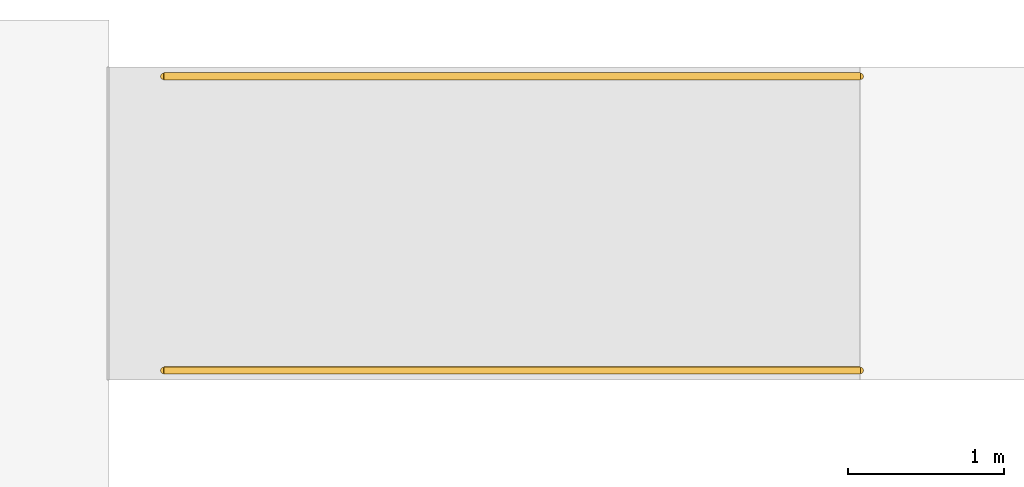
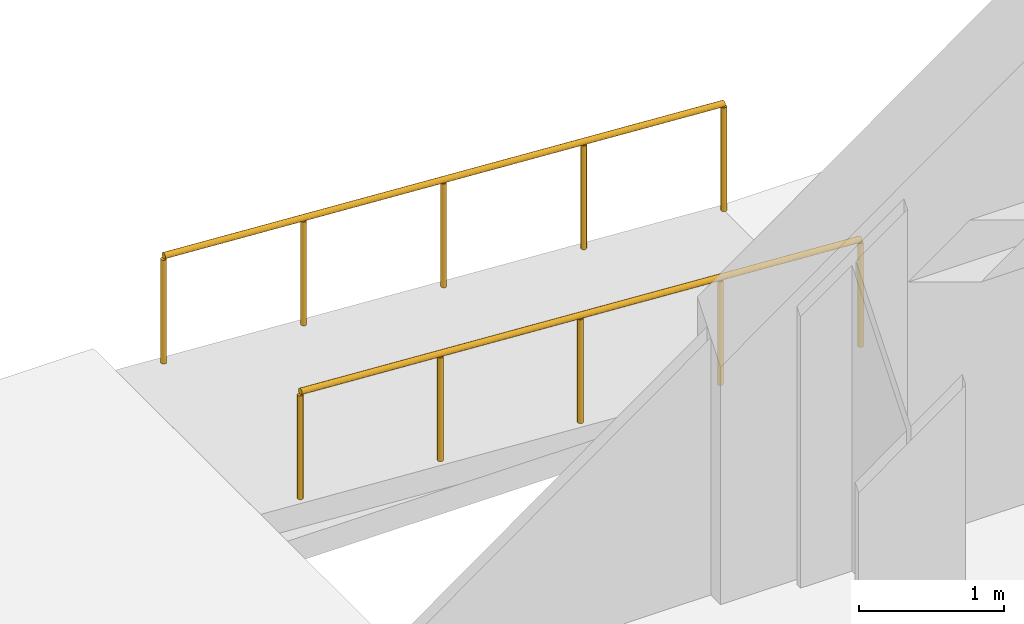
# One storey, part 20 of 21: 2 railings.
"""IFC4 building model written with IfcOpenShell, lengths in metres."""

from ifc_helpers import new_model, si_unit, direction, frame, origin, origin_2d, place, context, subcontext, project, spatial, circle, extrude, material, type_object, element, save


model = new_model("IFC4")

# Units and contexts
model_context = context("Model", 3, precision=1e-05, world=origin(), true_north=direction((0.0, 1.0)))
body_context = subcontext(model_context, "Body", "Model", "MODEL_VIEW")
ifc_project = project(units=[si_unit("LENGTHUNIT", "METRE"), si_unit("AREAUNIT", "SQUARE_METRE"), si_unit("VOLUMEUNIT", "CUBIC_METRE"), si_unit("PLANEANGLEUNIT", "RADIAN"), si_unit("MASSUNIT", "GRAM", prefix="KILO")], contexts=[model_context])

# Site, building, storey
site_placement = place(None, origin())
site = spatial("IfcSite", under=ifc_project, at=site_placement, CompositionType="ELEMENT")
building_placement = place(site_placement, origin())
building = spatial("IfcBuilding", under=site, at=building_placement, Name="Velakula Bourse", CompositionType="ELEMENT")
storey_placement = place(building_placement, origin())
storey = spatial("IfcBuildingStorey", under=building, at=storey_placement, Name="L00", CompositionType="ELEMENT", Elevation=0.0)

# Railings
ifc_material = material(Name="Brushed grade 316 stainless steel", Category="steel")
railing_type = type_object("IfcRailingType", Name="RLG-STAIR-HAND-920", PredefinedType="HANDRAIL", material=ifc_material)
for number, where, name in (
    (1, (29.800048828125, 28.260009765625, -0.300048828125), "North-East Station Flood-Threshold Ramp Handrail 1"),
    (2, (29.800048828125, 30.139892578125, -0.300048828125), "North-East Station Flood-Threshold Ramp Handrail 2"),
):
    element("IfcRailing", number, at=place(storey_placement, frame(where)), inside=storey, type_object=railing_type, Name=name, PredefinedType="HANDRAIL", context=body_context, shape_type="SweptSolid", body=[
        extrude(circle(Radius=0.02392578125, at=origin_2d()), frame((0.0, 0.0, 0.89599609375), z_axis=(-0.998053217616, 0.0, 0.06236805919), x_axis=(0.0, -1.0, 0.0)), (0.0, 0.0, 1.0), 4.458740234375),
        extrude(circle(Radius=0.02099609375, at=origin_2d()), origin(), (0.0, 0.0, 1.0), 0.871826171875),
        extrude(circle(Radius=0.02099609375, at=origin_2d()), frame((-1.112548828125, 0.0, 0.069580078125)), (0.0, 0.0, 1.0), 0.871826171875),
        extrude(circle(Radius=0.02099609375, at=origin_2d()), frame((-2.22509765625, 0.0, 0.13916015625)), (0.0, 0.0, 1.0), 0.871826171875),
        extrude(circle(Radius=0.02099609375, at=origin_2d()), frame((-3.33740234375, 0.0, 0.20849609375)), (0.0, 0.0, 1.0), 0.871826171875),
        extrude(circle(Radius=0.02099609375, at=origin_2d()), frame((-4.449951171875, 0.0, 0.278076171875)), (0.0, 0.0, 1.0), 0.871826171875),
    ])

save(model, "model.ifc")
